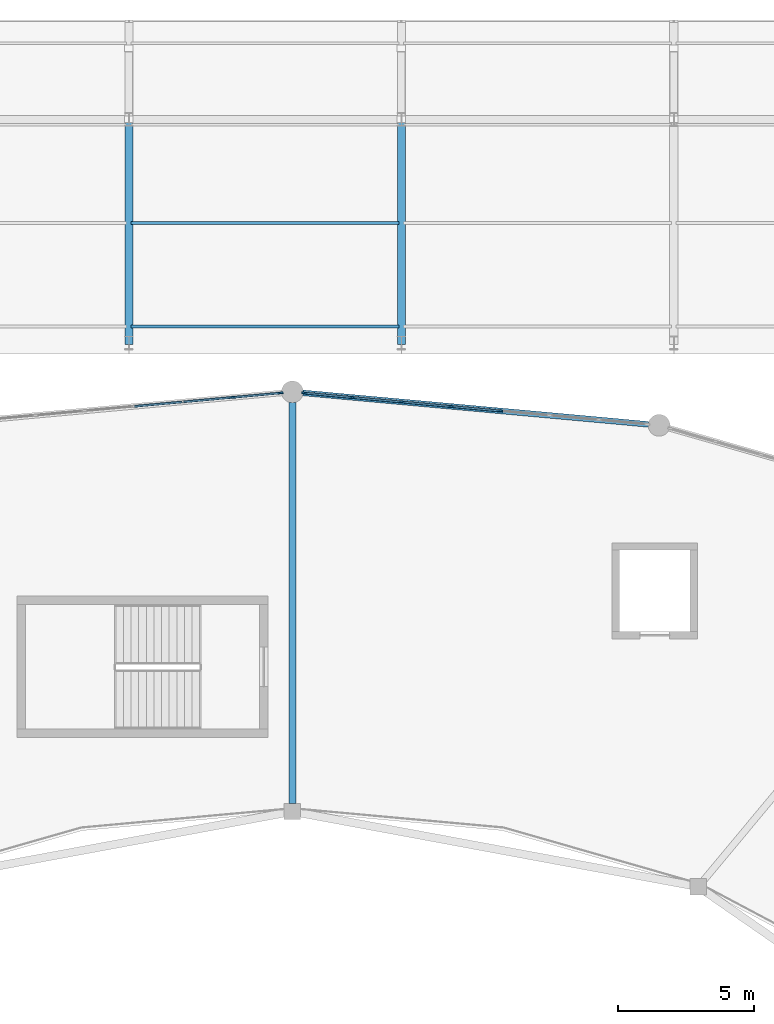
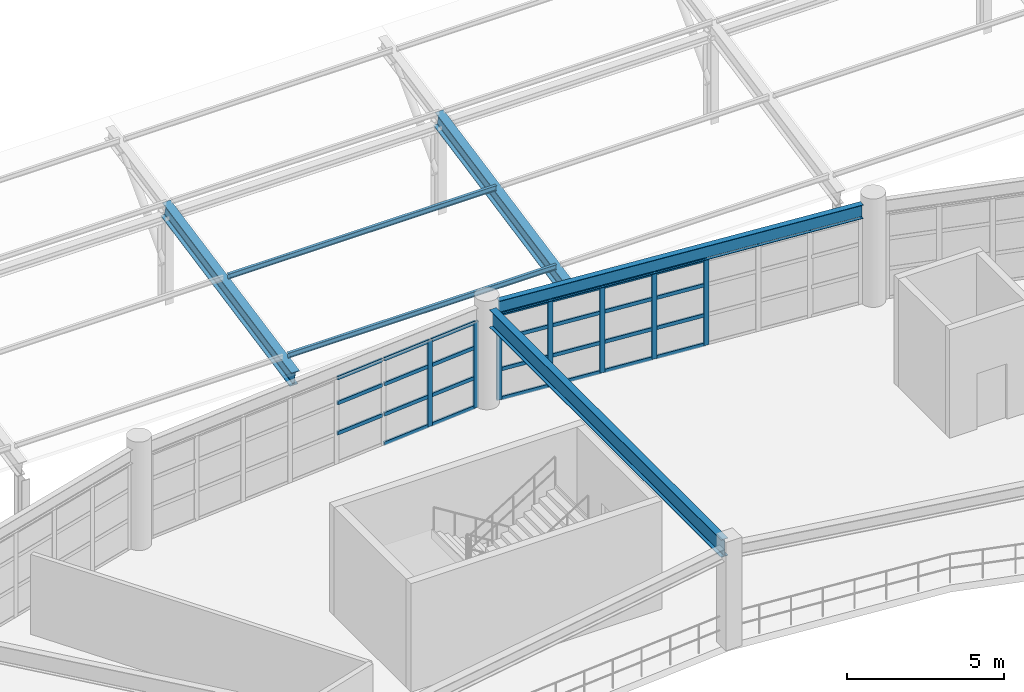
# One storey, part 39 of 100: 36 members, 4 beams, 2 elements without a shape of their own.
"""IFC4 building model written with IfcOpenShell, lengths in metres."""

import ifcopenshell
import ifcopenshell.guid

model = None  # the IFC model being written
_history = None  # IfcOwnerHistory: only IFC2X3 demands one
_inside = {}  # id of a spatial element -> (the spatial element, [elements in it])
_under = {}  # id of a project, library or spatial element -> (it, [spatial elements below it])
_declared = {}  # id of a project -> (the project, [libraries it declares])
_typed = {}  # id of a type object -> (the type object, [elements of that type])
_made_of = {}  # id of a material, layer set ... -> (it, [elements and type objects made of it])


def new_model(schema):
    """Start an empty IFC model of exactly this schema.

    Asked for "IFC4X3", IfcOpenShell would pick the latest addendum, in which some entities
    have other attributes; the version numbers below select the first issue.
    IFC2X3 requires an IfcOwnerHistory on every rooted entity: one is made here for all.
    """
    global model, _history
    if schema == "IFC4X3":
        model = ifcopenshell.file(schema_version=(4, 3, 0, 0))
    else:
        model = ifcopenshell.file(schema=schema)
    _inside.clear()
    _under.clear()
    _declared.clear()
    _typed.clear()
    _made_of.clear()
    _history = None
    if model.schema == "IFC2X3":
        org = make("IfcOrganization", Name="unknown")
        user = make(
            "IfcPersonAndOrganization",
            ThePerson=make("IfcPerson", FamilyName="unknown"),
            TheOrganization=org,
        )
        app = make(
            "IfcApplication",
            ApplicationDeveloper=org,
            Version="unknown",
            ApplicationFullName="unknown",
            ApplicationIdentifier="unknown",
        )
        _history = make(
            "IfcOwnerHistory",
            OwningUser=user,
            OwningApplication=app,
            ChangeAction="ADDED",
            CreationDate=0,
        )
    return model


def make(cls, **values):
    """One entity of the class cls with the attributes given. An attribute that is None is left unset."""
    return model.create_entity(
        cls, **{name: value for name, value in values.items() if value is not None}
    )


def rooted(cls, **values):
    """An entity with a GlobalId (a new one), such as an element, a storey or a relation."""
    return make(cls, GlobalId=ifcopenshell.guid.new(), OwnerHistory=_history, **values)


def si_unit(unit_type, name, prefix=None):
    """IfcSIUnit, for example si_unit("LENGTHUNIT", "METRE", prefix="MILLI")."""
    return make("IfcSIUnit", UnitType=unit_type, Prefix=prefix, Name=name)


def assignment(units):
    """IfcUnitAssignment: the units of a project."""
    return None if units is None else make("IfcUnitAssignment", Units=units)


def point(xyz):
    """IfcCartesianPoint."""
    return None if xyz is None else make("IfcCartesianPoint", Coordinates=xyz)


def direction(xyz):
    """IfcDirection."""
    return None if xyz is None else make("IfcDirection", DirectionRatios=xyz)


def frame(location, z_axis=None, x_axis=None):
    """IfcAxis2Placement3D, a coordinate frame: its origin and axes. An axis left out is left unset."""
    return make(
        "IfcAxis2Placement3D",
        Location=point(location),
        Axis=direction(z_axis),
        RefDirection=direction(x_axis),
    )


def frame_2d(location, x_axis=None):
    """IfcAxis2Placement2D, a coordinate frame in the plane: its origin and x axis."""
    return make(
        "IfcAxis2Placement2D", Location=point(location), RefDirection=direction(x_axis)
    )


def origin():
    """The frame at (0, 0, 0) with its axes left unset."""
    return frame((0.0, 0.0, 0.0))


def origin_2d():
    """The frame at (0, 0) in the plane with its x axis left unset."""
    return frame_2d((0.0, 0.0))


def place(relative_to, where):
    """IfcLocalPlacement: puts the frame where relative to a parent placement (None: the world)."""
    return make(
        "IfcLocalPlacement", PlacementRelTo=relative_to, RelativePlacement=where
    )


def context(
    kind, dimensions, precision=None, world=None, true_north=None, identifier=None
):
    """IfcGeometricRepresentationContext, for example the 3D "Model" context."""
    return make(
        "IfcGeometricRepresentationContext",
        ContextIdentifier=identifier,
        ContextType=kind,
        CoordinateSpaceDimension=dimensions,
        Precision=precision,
        WorldCoordinateSystem=world,
        TrueNorth=true_north,
    )


def subcontext(parent, identifier, kind, view, scale=None):
    """IfcGeometricRepresentationSubContext, for example "Body" below "Model"."""
    return make(
        "IfcGeometricRepresentationSubContext",
        ContextIdentifier=identifier,
        ContextType=kind,
        ParentContext=parent,
        TargetScale=scale,
        TargetView=view,
    )


def project(units=None, contexts=None):
    """IfcProject with its units and contexts."""
    return rooted(
        "IfcProject",
        Name="project",
        RepresentationContexts=contexts,
        UnitsInContext=assignment(units),
    )


def spatial(cls, under=None, at=None, **own):
    """A site, building, storey or space (cls), placed at a placement, below another one or the project."""
    s = rooted(cls, ObjectPlacement=at, **own)
    if under is not None:
        _under.setdefault(under.id(), (under, []))[1].append(s)
    return s


def profile(cls, at=None, kind="AREA", **sizes):
    """A parametric profile (cls). Its sizes go by their IFC names, for example OverallWidth=200.0."""
    return make(cls, ProfileType=kind, Position=at, **sizes)


def rectangle(**sizes):
    """IfcRectangleProfileDef."""
    return profile("IfcRectangleProfileDef", **sizes)


def i_section(**sizes):
    """IfcIShapeProfileDef."""
    return profile("IfcIShapeProfileDef", **sizes)


def extrude(swept, where, along, depth):
    """IfcExtrudedAreaSolid: the profile swept, set in the frame where, extruded along a direction by depth."""
    return make(
        "IfcExtrudedAreaSolid",
        SweptArea=swept,
        Position=where,
        ExtrudedDirection=direction(along),
        Depth=depth,
    )


def shape(context_of_items, identifier, shape_type, items):
    """IfcShapeRepresentation: the items that make up one representation, for example the "Body"."""
    return make(
        "IfcShapeRepresentation",
        ContextOfItems=context_of_items,
        RepresentationIdentifier=identifier,
        RepresentationType=shape_type,
        Items=items,
    )


def material(Name=None, Category=None):
    """IfcMaterial."""
    return make("IfcMaterial", Name=Name, Category=Category)


def layer(
    of_material, thickness, ventilated=None, Name=None, Category=None, Priority=None
):
    """IfcMaterialLayer: one layer of a wall or slab, of a material (None: an air gap)."""
    return make(
        "IfcMaterialLayer",
        Material=of_material,
        LayerThickness=thickness,
        IsVentilated=ventilated,
        Name=Name,
        Category=Category,
        Priority=Priority,
    )


def layer_set(layers, Name=None):
    """IfcMaterialLayerSet."""
    return make("IfcMaterialLayerSet", MaterialLayers=layers, LayerSetName=Name)


def material_profile(
    of_material, cross_section, Name=None, Category=None, Priority=None
):
    """IfcMaterialProfile: a cross section and its material."""
    return make(
        "IfcMaterialProfile",
        Name=Name,
        Material=of_material,
        Profile=cross_section,
        Priority=Priority,
        Category=Category,
    )


def profile_set(profiles, Name=None, composite=None):
    """IfcMaterialProfileSet."""
    return make(
        "IfcMaterialProfileSet",
        Name=Name,
        MaterialProfiles=profiles,
        CompositeProfile=composite,
    )


def made_of(thing, what):
    """Note that an element or type object is made of a material, layer set ...; save() writes the relation."""
    if what is not None:
        _made_of.setdefault(what.id(), (what, []))[1].append(thing)
    return thing


def type_object(cls, material=None, **own):
    """A type object (cls), such as IfcWallType, which elements share."""
    return made_of(rooted(cls, **own), material)


def element(
    cls,
    number,
    at=None,
    inside=None,
    cuts=None,
    type_object=None,
    material=None,
    context=None,
    identifier="Body",
    shape_type=None,
    held_by="IfcProductDefinitionShape",
    body=None,
    shapes=None,
    **own,
):
    """One element of the class cls, such as IfcWall. Its Tag is "e" and its number.

    at: its placement. inside: the storey or other place that contains it. cuts: it is an
    opening in that element (IfcRelVoidsElement). A single representation is given by context,
    identifier, shape_type and body (its items); several are given by shapes. held_by: the class
    of the entity that holds the representations. save() writes the other relations.
    """
    e = rooted(cls, Tag="e%d" % number, ObjectPlacement=at, **own)
    if body is not None:
        shapes = [shape(context, identifier, shape_type, body)]
    if shapes is not None:
        e.Representation = make(held_by, Representations=shapes)
    if inside is not None:
        _inside.setdefault(inside.id(), (inside, []))[1].append(e)
    if cuts is not None:
        rooted(
            "IfcRelVoidsElement", RelatingBuildingElement=cuts, RelatedOpeningElement=e
        )
    if type_object is not None:
        _typed.setdefault(type_object.id(), (type_object, []))[1].append(e)
    return made_of(e, material)


def aggregate(whole, parts):
    """IfcRelAggregates: a whole, such as a stair, and the parts it consists of."""
    return rooted("IfcRelAggregates", RelatingObject=whole, RelatedObjects=parts)


def save(model, path):
    """Write the relations noted so far, then the file.

    IfcRelAggregates (storeys below a building ...), IfcRelContainedInSpatialStructure (elements
    in a storey), IfcRelDefinesByType, IfcRelAssociatesMaterial and IfcRelDeclares: one each for
    every whole, place, type object, material and project.
    """
    for whole, parts in _under.values():
        aggregate(whole, parts)
    for where, things in _inside.values():
        rooted(
            "IfcRelContainedInSpatialStructure",
            RelatedElements=things,
            RelatingStructure=where,
        )
    for kind, things in _typed.values():
        rooted("IfcRelDefinesByType", RelatedObjects=things, RelatingType=kind)
    for what, things in _made_of.values():
        rooted("IfcRelAssociatesMaterial", RelatedObjects=things, RelatingMaterial=what)
    for by, libraries in _declared.values():
        rooted("IfcRelDeclares", RelatingContext=by, RelatedDefinitions=libraries)
    model.write(path)


model = new_model("IFC4")

# Units and contexts
model_context = context("Model", 3, precision=1e-05, world=origin(), true_north=direction((0.0, 1.0)))
body_context = subcontext(model_context, "Body", "Model", "MODEL_VIEW")
ifc_project = project(units=[si_unit("LENGTHUNIT", "METRE"), si_unit("AREAUNIT", "SQUARE_METRE"), si_unit("VOLUMEUNIT", "CUBIC_METRE"), si_unit("PLANEANGLEUNIT", "RADIAN"), si_unit("MASSUNIT", "GRAM", prefix="KILO")], contexts=[model_context])

# Site, building, storey
site_placement = place(None, origin())
site = spatial("IfcSite", under=ifc_project, at=site_placement, CompositionType="ELEMENT")
building_placement = place(site_placement, origin())
building = spatial("IfcBuilding", under=site, at=building_placement, Name="Kivolera Central Railway Station", CompositionType="ELEMENT")
storey_placement = place(building_placement, frame((0.0, 0.0, 5.39990234375)))
storey = spatial("IfcBuildingStorey", under=building, at=storey_placement, Name="L01", CompositionType="ELEMENT", Elevation=5.39990234375)

# Beams
ifc_material_1 = material(Name="Steel S355", Category="steel")
ifc_material_profile_1 = material_profile(ifc_material_1, i_section(OverallWidth=0.300048828125, OverallDepth=0.60009765625, WebThickness=0.015380859375, FlangeThickness=0.030029296875, FilletRadius=0.027099609375, at=origin_2d()), Name="HEB 600")
ifc_profile_set_1 = profile_set([ifc_material_profile_1], Name="Steel S355")
beam_type_1 = type_object("IfcBeamType", Name="BM-CAN-MAIN", PredefinedType="BEAM", material=ifc_profile_set_1)
for number, where, z_axis, x_axis, name in (
    (1, (58.0, 127.800048828125, 1.940185546875), (0.0, 0.98058292142, 0.196104906159), (-1.0, 0.0, 0.0), "Forecourt Canopy Main Back-Span Girder 4"),
    (2, (68.0, 127.800048828125, 1.940185546875), (0.0, 0.98058292142, 0.196104906159), (-1.0, 0.0, 0.0), "Forecourt Canopy Main Back-Span Girder 5"),
):
    element("IfcBeam", number, at=place(storey_placement, frame(where, z_axis=z_axis, x_axis=x_axis)), inside=storey, type_object=beam_type_1, Name=name, PredefinedType="BEAM", context=body_context, shape_type="SweptSolid", body=[
        extrude(i_section(OverallWidth=0.300048828125, OverallDepth=0.60009765625, WebThickness=0.015380859375, FlangeThickness=0.030029296875, FilletRadius=0.027099609375, at=origin_2d()), origin(), (0.0, 0.0, 1.0), 8.3623046875),
    ])
ifc_material_profile_2 = material_profile(ifc_material_1, i_section(OverallWidth=0.209228515625, OverallDepth=0.533203125, WebThickness=0.010009765625, FlangeThickness=0.015625, FilletRadius=0.0126953125, at=origin_2d()), Name="UB 533x210x92")
ifc_profile_set_2 = profile_set([ifc_material_profile_2], Name="Steel S355")
beam_type_2 = type_object("IfcBeamType", Name="BM-SHD-UB533", PredefinedType="BEAM", material=ifc_profile_set_2)
beam_1_placement = place(storey_placement, frame((77.071044921875, 124.80810546875, 3.611083984375), z_axis=(-0.9958650324, 0.090845127787, 0.0), x_axis=(-0.090845127787, -0.9958650324, 0.0)))
element("IfcBeam", 3, at=beam_1_placement, inside=storey, type_object=beam_type_2, Name="L01 Oval Perimeter Ring Beam 06", PredefinedType="BEAM", context=body_context, shape_type="SweptSolid", body=[
    extrude(i_section(OverallWidth=0.209228515625, OverallDepth=0.533203125, WebThickness=0.010009765625, FlangeThickness=0.015625, FilletRadius=0.0126953125, at=origin_2d()), origin(), (0.0, 0.0, 1.0), 12.73583984375),
])
ifc_material_profile_3 = material_profile(ifc_material_1, i_section(OverallWidth=0.253662109375, OverallDepth=0.68359375, WebThickness=0.012451171875, FlangeThickness=0.01904296875, FilletRadius=0.01513671875, at=origin_2d()), Name="UB 686x254x140")
ifc_profile_set_3 = profile_set([ifc_material_profile_3], Name="Steel S355")
beam_type_3 = type_object("IfcBeamType", Name="BM-SHD-UB686", PredefinedType="BEAM", material=ifc_profile_set_3)
beam_2_placement = place(storey_placement, frame((64.0, 110.89208984375, 3.5361328125), z_axis=(0.0, 1.0, 0.0), x_axis=(-1.0, 0.0, 0.0)))
element("IfcBeam", 4, at=beam_2_placement, inside=storey, type_object=beam_type_3, Name="L01 Oval Gallery Radial Girder 04", PredefinedType="BEAM", context=body_context, shape_type="SweptSolid", body=[
    extrude(i_section(OverallWidth=0.253662109375, OverallDepth=0.68359375, WebThickness=0.012451171875, FlangeThickness=0.01904296875, FilletRadius=0.01513671875, at=origin_2d()), origin(), (0.0, 0.0, 1.0), 14.718017578125),
])

# Curtain wall, members
ifc_material_2 = material(Name="Anodised aluminium", Category="aluminium")
ifc_layer = layer(ifc_material_2, 0.179931640625, Name="Anodised aluminium")
ifc_layer_set = layer_set([ifc_layer], Name="Anodised aluminium")
curtain_wall_type = type_object("IfcCurtainWallType", Name="CW-SYS-12", PredefinedType="NOTDEFINED", material=ifc_layer_set)
curtain_wall_1_placement = place(storey_placement, origin())
curtain_wall_1 = element("IfcCurtainWall", 5, at=curtain_wall_1_placement, inside=storey, type_object=curtain_wall_type, Name="L01 Curtain Wall CW-L01-OVL-05", PredefinedType="NOTDEFINED")
ifc_material_profile_4 = material_profile(ifc_material_2, rectangle(XDim=0.070068359375, YDim=0.179931640625, at=origin_2d()), Name="ALU MULL 70x180")
ifc_profile_set_4 = profile_set([ifc_material_profile_4], Name="Anodised aluminium")
member_type_1 = type_object("IfcMemberType", Name="CWM-MUL-1", PredefinedType="MULLION", material=ifc_profile_set_4)
member_1_placement = place(storey_placement, frame((64.432861328125, 125.9609375, -0.0048828125), z_axis=(0.0, 0.0, 1.0), x_axis=(0.090833556942, 0.995866087852, 0.0)))
member_1 = element("IfcMember", 6, at=member_1_placement, type_object=member_type_1, Name="CW-12 mullion 1", PredefinedType="MULLION", context=body_context, shape_type="SweptSolid", body=[
    extrude(rectangle(XDim=0.070068359375, YDim=0.179931640625, at=origin_2d()), origin(), (0.0, 0.0, 1.0), 3.344970703125),
])
member_2_placement = place(storey_placement, frame((66.20703125, 125.799072265625, -0.0048828125), z_axis=(0.0, 0.0, 1.0), x_axis=(0.090833556942, 0.995866087852, 0.0)))
member_2 = element("IfcMember", 7, at=member_2_placement, type_object=member_type_1, Name="CW-12 mullion 2", PredefinedType="MULLION", context=body_context, shape_type="SweptSolid", body=[
    extrude(rectangle(XDim=0.070068359375, YDim=0.179931640625, at=origin_2d()), origin(), (0.0, 0.0, 1.0), 3.344970703125),
])
member_3_placement = place(storey_placement, frame((68.01611328125, 125.634033203125, -0.0048828125), z_axis=(0.0, 0.0, 1.0), x_axis=(0.090833556942, 0.995866087852, 0.0)))
member_3 = element("IfcMember", 8, at=member_3_placement, type_object=member_type_1, Name="CW-12 mullion 3", PredefinedType="MULLION", context=body_context, shape_type="SweptSolid", body=[
    extrude(rectangle(XDim=0.070068359375, YDim=0.179931640625, at=origin_2d()), origin(), (0.0, 0.0, 1.0), 3.344970703125),
])
member_4_placement = place(storey_placement, frame((69.824951171875, 125.468994140625, -0.0048828125), z_axis=(0.0, 0.0, 1.0), x_axis=(0.090833556942, 0.995866087852, 0.0)))
member_4 = element("IfcMember", 9, at=member_4_placement, type_object=member_type_1, Name="CW-12 mullion 4", PredefinedType="MULLION", context=body_context, shape_type="SweptSolid", body=[
    extrude(rectangle(XDim=0.070068359375, YDim=0.179931640625, at=origin_2d()), origin(), (0.0, 0.0, 1.0), 3.344970703125),
])
member_5_placement = place(storey_placement, frame((71.634033203125, 125.303955078125, -0.0048828125), z_axis=(0.0, 0.0, 1.0), x_axis=(0.090833556942, 0.995866087852, 0.0)))
member_5 = element("IfcMember", 10, at=member_5_placement, type_object=member_type_1, Name="CW-12 mullion 5", PredefinedType="MULLION", context=body_context, shape_type="SweptSolid", body=[
    extrude(rectangle(XDim=0.070068359375, YDim=0.179931640625, at=origin_2d()), origin(), (0.0, 0.0, 1.0), 3.344970703125),
])

curtain_wall_2_placement = place(storey_placement, origin())
curtain_wall_2 = element("IfcCurtainWall", 11, at=curtain_wall_2_placement, inside=storey, type_object=curtain_wall_type, Name="L01 Curtain Wall CW-L01-OVL-06", PredefinedType="NOTDEFINED")
member_6_placement = place(storey_placement, frame((61.79296875, 125.799072265625, -0.0048828125), z_axis=(0.0, 0.0, 1.0), x_axis=(-0.090833556942, 0.995866087852, 0.0)))
member_6 = element("IfcMember", 12, at=member_6_placement, type_object=member_type_1, Name="CW-12 mullion 7", PredefinedType="MULLION", context=body_context, shape_type="SweptSolid", body=[
    extrude(rectangle(XDim=0.070068359375, YDim=0.179931640625, at=origin_2d()), origin(), (0.0, 0.0, 1.0), 3.344970703125),
])
member_7_placement = place(storey_placement, frame((63.567138671875, 125.9609375, -0.0048828125), z_axis=(0.0, 0.0, 1.0), x_axis=(-0.090833556942, 0.995866087852, 0.0)))
member_7 = element("IfcMember", 13, at=member_7_placement, type_object=member_type_1, Name="CW-12 mullion 8", PredefinedType="MULLION", context=body_context, shape_type="SweptSolid", body=[
    extrude(rectangle(XDim=0.070068359375, YDim=0.179931640625, at=origin_2d()), origin(), (0.0, 0.0, 1.0), 3.344970703125),
])

# Member
ifc_material_profile_5 = material_profile(ifc_material_2, rectangle(XDim=0.070068359375, YDim=0.139892578125, at=origin_2d()), Name="ALU TRAN 70x140")
ifc_profile_set_5 = profile_set([ifc_material_profile_5], Name="Anodised aluminium")
member_type_2 = type_object("IfcMemberType", Name="CWM-TRN-1", PredefinedType="USERDEFINED", material=ifc_profile_set_5)
member_8_placement = place(storey_placement, frame((64.4677734375, 125.957763671875, 0.03515625), z_axis=(0.995862748795, -0.090870157711, 0.0), x_axis=(0.090870157711, 0.995862748795, 0.0)))
member_8 = element("IfcMember", 14, at=member_8_placement, type_object=member_type_2, Name="CW-12 transom 1.1", ObjectType="TRANSOM", PredefinedType="USERDEFINED", context=body_context, shape_type="SweptSolid", body=[
    extrude(rectangle(XDim=0.070068359375, YDim=0.139892578125, at=origin_2d()), origin(), (0.0, 0.0, 1.0), 1.71142578125),
])

member_9_placement = place(storey_placement, frame((64.4677734375, 125.957763671875, 1.169189453125), z_axis=(0.995862748795, -0.090870157711, 0.0), x_axis=(0.090870157711, 0.995862748795, 0.0)))
member_9 = element("IfcMember", 15, at=member_9_placement, type_object=member_type_2, Name="CW-12 transom 1.2", ObjectType="TRANSOM", PredefinedType="USERDEFINED", context=body_context, shape_type="SweptSolid", body=[
    extrude(rectangle(XDim=0.070068359375, YDim=0.139892578125, at=origin_2d()), origin(), (0.0, 0.0, 1.0), 1.71142578125),
])

member_10_placement = place(storey_placement, frame((64.4677734375, 125.957763671875, 2.338134765625), z_axis=(0.995862748795, -0.090870157711, 0.0), x_axis=(0.090870157711, 0.995862748795, 0.0)))
member_10 = element("IfcMember", 16, at=member_10_placement, type_object=member_type_2, Name="CW-12 transom 1.3", ObjectType="TRANSOM", PredefinedType="USERDEFINED", context=body_context, shape_type="SweptSolid", body=[
    extrude(rectangle(XDim=0.070068359375, YDim=0.139892578125, at=origin_2d()), origin(), (0.0, 0.0, 1.0), 1.71142578125),
])

member_11_placement = place(storey_placement, frame((64.4677734375, 125.957763671875, 3.30517578125), z_axis=(0.995862748795, -0.090870157711, 0.0), x_axis=(0.090870157711, 0.995862748795, 0.0)))
member_11 = element("IfcMember", 17, at=member_11_placement, type_object=member_type_2, Name="CW-12 transom 1.4", ObjectType="TRANSOM", PredefinedType="USERDEFINED", context=body_context, shape_type="SweptSolid", body=[
    extrude(rectangle(XDim=0.070068359375, YDim=0.139892578125, at=origin_2d()), origin(), (0.0, 0.0, 1.0), 1.71142578125),
])

member_12_placement = place(storey_placement, frame((66.241943359375, 125.7958984375, 0.03515625), z_axis=(0.995863361258, -0.09086344537, 0.0), x_axis=(0.09086344537, 0.995863361258, 0.0)))
member_12 = element("IfcMember", 18, at=member_12_placement, type_object=member_type_2, Name="CW-12 transom 2.1", ObjectType="TRANSOM", PredefinedType="USERDEFINED", context=body_context, shape_type="SweptSolid", body=[
    extrude(rectangle(XDim=0.070068359375, YDim=0.139892578125, at=origin_2d()), origin(), (0.0, 0.0, 1.0), 1.74658203125),
])

member_13_placement = place(storey_placement, frame((66.241943359375, 125.7958984375, 1.169189453125), z_axis=(0.995863361258, -0.09086344537, 0.0), x_axis=(0.09086344537, 0.995863361258, 0.0)))
member_13 = element("IfcMember", 19, at=member_13_placement, type_object=member_type_2, Name="CW-12 transom 2.2", ObjectType="TRANSOM", PredefinedType="USERDEFINED", context=body_context, shape_type="SweptSolid", body=[
    extrude(rectangle(XDim=0.070068359375, YDim=0.139892578125, at=origin_2d()), origin(), (0.0, 0.0, 1.0), 1.74658203125),
])

member_14_placement = place(storey_placement, frame((66.241943359375, 125.7958984375, 2.338134765625), z_axis=(0.995863361258, -0.09086344537, 0.0), x_axis=(0.09086344537, 0.995863361258, 0.0)))
member_14 = element("IfcMember", 20, at=member_14_placement, type_object=member_type_2, Name="CW-12 transom 2.3", ObjectType="TRANSOM", PredefinedType="USERDEFINED", context=body_context, shape_type="SweptSolid", body=[
    extrude(rectangle(XDim=0.070068359375, YDim=0.139892578125, at=origin_2d()), origin(), (0.0, 0.0, 1.0), 1.74658203125),
])

member_15_placement = place(storey_placement, frame((66.241943359375, 125.7958984375, 3.30517578125), z_axis=(0.995863361258, -0.09086344537, 0.0), x_axis=(0.09086344537, 0.995863361258, 0.0)))
member_15 = element("IfcMember", 21, at=member_15_placement, type_object=member_type_2, Name="CW-12 transom 2.4", ObjectType="TRANSOM", PredefinedType="USERDEFINED", context=body_context, shape_type="SweptSolid", body=[
    extrude(rectangle(XDim=0.070068359375, YDim=0.139892578125, at=origin_2d()), origin(), (0.0, 0.0, 1.0), 1.74658203125),
])

member_16_placement = place(storey_placement, frame((68.05078125, 125.630859375, 0.03515625), z_axis=(0.995863361258, -0.09086344537, 0.0), x_axis=(0.09086344537, 0.995863361258, 0.0)))
member_16 = element("IfcMember", 22, at=member_16_placement, type_object=member_type_2, Name="CW-12 transom 3.1", ObjectType="TRANSOM", PredefinedType="USERDEFINED", context=body_context, shape_type="SweptSolid", body=[
    extrude(rectangle(XDim=0.070068359375, YDim=0.139892578125, at=origin_2d()), origin(), (0.0, 0.0, 1.0), 1.74658203125),
])

member_17_placement = place(storey_placement, frame((68.05078125, 125.630859375, 1.169189453125), z_axis=(0.995863361258, -0.09086344537, 0.0), x_axis=(0.09086344537, 0.995863361258, 0.0)))
member_17 = element("IfcMember", 23, at=member_17_placement, type_object=member_type_2, Name="CW-12 transom 3.2", ObjectType="TRANSOM", PredefinedType="USERDEFINED", context=body_context, shape_type="SweptSolid", body=[
    extrude(rectangle(XDim=0.070068359375, YDim=0.139892578125, at=origin_2d()), origin(), (0.0, 0.0, 1.0), 1.74658203125),
])

member_18_placement = place(storey_placement, frame((68.05078125, 125.630859375, 2.338134765625), z_axis=(0.995863361258, -0.09086344537, 0.0), x_axis=(0.09086344537, 0.995863361258, 0.0)))
member_18 = element("IfcMember", 24, at=member_18_placement, type_object=member_type_2, Name="CW-12 transom 3.3", ObjectType="TRANSOM", PredefinedType="USERDEFINED", context=body_context, shape_type="SweptSolid", body=[
    extrude(rectangle(XDim=0.070068359375, YDim=0.139892578125, at=origin_2d()), origin(), (0.0, 0.0, 1.0), 1.74658203125),
])

member_19_placement = place(storey_placement, frame((68.05078125, 125.630859375, 3.30517578125), z_axis=(0.995863361258, -0.09086344537, 0.0), x_axis=(0.09086344537, 0.995863361258, 0.0)))
member_19 = element("IfcMember", 25, at=member_19_placement, type_object=member_type_2, Name="CW-12 transom 3.4", ObjectType="TRANSOM", PredefinedType="USERDEFINED", context=body_context, shape_type="SweptSolid", body=[
    extrude(rectangle(XDim=0.070068359375, YDim=0.139892578125, at=origin_2d()), origin(), (0.0, 0.0, 1.0), 1.74658203125),
])

member_20_placement = place(storey_placement, frame((69.85986328125, 125.4658203125, 0.03515625), z_axis=(0.995863361258, -0.09086344537, 0.0), x_axis=(0.09086344537, 0.995863361258, 0.0)))
member_20 = element("IfcMember", 26, at=member_20_placement, type_object=member_type_2, Name="CW-12 transom 4.1", ObjectType="TRANSOM", PredefinedType="USERDEFINED", context=body_context, shape_type="SweptSolid", body=[
    extrude(rectangle(XDim=0.070068359375, YDim=0.139892578125, at=origin_2d()), origin(), (0.0, 0.0, 1.0), 1.74658203125),
])

member_21_placement = place(storey_placement, frame((69.85986328125, 125.4658203125, 1.169189453125), z_axis=(0.995863361258, -0.09086344537, 0.0), x_axis=(0.09086344537, 0.995863361258, 0.0)))
member_21 = element("IfcMember", 27, at=member_21_placement, type_object=member_type_2, Name="CW-12 transom 4.2", ObjectType="TRANSOM", PredefinedType="USERDEFINED", context=body_context, shape_type="SweptSolid", body=[
    extrude(rectangle(XDim=0.070068359375, YDim=0.139892578125, at=origin_2d()), origin(), (0.0, 0.0, 1.0), 1.74658203125),
])

member_22_placement = place(storey_placement, frame((69.85986328125, 125.4658203125, 2.338134765625), z_axis=(0.995863361258, -0.09086344537, 0.0), x_axis=(0.09086344537, 0.995863361258, 0.0)))
member_22 = element("IfcMember", 28, at=member_22_placement, type_object=member_type_2, Name="CW-12 transom 4.3", ObjectType="TRANSOM", PredefinedType="USERDEFINED", context=body_context, shape_type="SweptSolid", body=[
    extrude(rectangle(XDim=0.070068359375, YDim=0.139892578125, at=origin_2d()), origin(), (0.0, 0.0, 1.0), 1.74658203125),
])

member_23_placement = place(storey_placement, frame((69.85986328125, 125.4658203125, 3.30517578125), z_axis=(0.995863361258, -0.09086344537, 0.0), x_axis=(0.09086344537, 0.995863361258, 0.0)))
member_23 = element("IfcMember", 29, at=member_23_placement, type_object=member_type_2, Name="CW-12 transom 4.4", ObjectType="TRANSOM", PredefinedType="USERDEFINED", context=body_context, shape_type="SweptSolid", body=[
    extrude(rectangle(XDim=0.070068359375, YDim=0.139892578125, at=origin_2d()), origin(), (0.0, 0.0, 1.0), 1.74658203125),
])

aggregate(curtain_wall_1, [member_1, member_2, member_3, member_4, member_5, member_8, member_9, member_10, member_11, member_12, member_13, member_14, member_15, member_16, member_17, member_18, member_19, member_20, member_21, member_22, member_23])

member_24_placement = place(storey_placement, frame((58.2099609375, 125.47216796875, 1.169189453125), z_axis=(0.995863361258, 0.09086344537, 0.0), x_axis=(-0.09086344537, 0.995863361258, 0.0)))
member_24 = element("IfcMember", 30, at=member_24_placement, type_object=member_type_2, Name="CW-12 transom 5.2", ObjectType="TRANSOM", PredefinedType="USERDEFINED", context=body_context, shape_type="SweptSolid", body=[
    extrude(rectangle(XDim=0.070068359375, YDim=0.139892578125, at=origin_2d()), origin(), (0.0, 0.0, 1.0), 1.74658203125),
])

member_25_placement = place(storey_placement, frame((58.2099609375, 125.47216796875, 2.338134765625), z_axis=(0.995863361258, 0.09086344537, 0.0), x_axis=(-0.09086344537, 0.995863361258, 0.0)))
member_25 = element("IfcMember", 31, at=member_25_placement, type_object=member_type_2, Name="CW-12 transom 5.3", ObjectType="TRANSOM", PredefinedType="USERDEFINED", context=body_context, shape_type="SweptSolid", body=[
    extrude(rectangle(XDim=0.070068359375, YDim=0.139892578125, at=origin_2d()), origin(), (0.0, 0.0, 1.0), 1.74658203125),
])

member_26_placement = place(storey_placement, frame((58.2099609375, 125.47216796875, 3.30517578125), z_axis=(0.995863361258, 0.09086344537, 0.0), x_axis=(-0.09086344537, 0.995863361258, 0.0)))
member_26 = element("IfcMember", 32, at=member_26_placement, type_object=member_type_2, Name="CW-12 transom 5.4", ObjectType="TRANSOM", PredefinedType="USERDEFINED", context=body_context, shape_type="SweptSolid", body=[
    extrude(rectangle(XDim=0.070068359375, YDim=0.139892578125, at=origin_2d()), origin(), (0.0, 0.0, 1.0), 1.74658203125),
])

member_27_placement = place(storey_placement, frame((60.018798828125, 125.63720703125, 0.03515625), z_axis=(0.995863361258, 0.09086344537, 0.0), x_axis=(-0.09086344537, 0.995863361258, 0.0)))
member_27 = element("IfcMember", 33, at=member_27_placement, type_object=member_type_2, Name="CW-12 transom 6.1", ObjectType="TRANSOM", PredefinedType="USERDEFINED", context=body_context, shape_type="SweptSolid", body=[
    extrude(rectangle(XDim=0.070068359375, YDim=0.139892578125, at=origin_2d()), origin(), (0.0, 0.0, 1.0), 1.74658203125),
])

member_28_placement = place(storey_placement, frame((60.018798828125, 125.63720703125, 1.169189453125), z_axis=(0.995863361258, 0.09086344537, 0.0), x_axis=(-0.09086344537, 0.995863361258, 0.0)))
member_28 = element("IfcMember", 34, at=member_28_placement, type_object=member_type_2, Name="CW-12 transom 6.2", ObjectType="TRANSOM", PredefinedType="USERDEFINED", context=body_context, shape_type="SweptSolid", body=[
    extrude(rectangle(XDim=0.070068359375, YDim=0.139892578125, at=origin_2d()), origin(), (0.0, 0.0, 1.0), 1.74658203125),
])

member_29_placement = place(storey_placement, frame((60.018798828125, 125.63720703125, 2.338134765625), z_axis=(0.995863361258, 0.09086344537, 0.0), x_axis=(-0.09086344537, 0.995863361258, 0.0)))
member_29 = element("IfcMember", 35, at=member_29_placement, type_object=member_type_2, Name="CW-12 transom 6.3", ObjectType="TRANSOM", PredefinedType="USERDEFINED", context=body_context, shape_type="SweptSolid", body=[
    extrude(rectangle(XDim=0.070068359375, YDim=0.139892578125, at=origin_2d()), origin(), (0.0, 0.0, 1.0), 1.74658203125),
])

member_30_placement = place(storey_placement, frame((60.018798828125, 125.63720703125, 3.30517578125), z_axis=(0.995863361258, 0.09086344537, 0.0), x_axis=(-0.09086344537, 0.995863361258, 0.0)))
member_30 = element("IfcMember", 36, at=member_30_placement, type_object=member_type_2, Name="CW-12 transom 6.4", ObjectType="TRANSOM", PredefinedType="USERDEFINED", context=body_context, shape_type="SweptSolid", body=[
    extrude(rectangle(XDim=0.070068359375, YDim=0.139892578125, at=origin_2d()), origin(), (0.0, 0.0, 1.0), 1.74658203125),
])

member_31_placement = place(storey_placement, frame((61.827880859375, 125.80224609375, 0.03515625), z_axis=(0.995862748795, 0.090870157711, 0.0), x_axis=(-0.090870157711, 0.995862748795, 0.0)))
member_31 = element("IfcMember", 37, at=member_31_placement, type_object=member_type_2, Name="CW-12 transom 7.1", ObjectType="TRANSOM", PredefinedType="USERDEFINED", context=body_context, shape_type="SweptSolid", body=[
    extrude(rectangle(XDim=0.070068359375, YDim=0.139892578125, at=origin_2d()), origin(), (0.0, 0.0, 1.0), 1.71142578125),
])

member_32_placement = place(storey_placement, frame((61.827880859375, 125.80224609375, 1.169189453125), z_axis=(0.995862748795, 0.090870157711, 0.0), x_axis=(-0.090870157711, 0.995862748795, 0.0)))
member_32 = element("IfcMember", 38, at=member_32_placement, type_object=member_type_2, Name="CW-12 transom 7.2", ObjectType="TRANSOM", PredefinedType="USERDEFINED", context=body_context, shape_type="SweptSolid", body=[
    extrude(rectangle(XDim=0.070068359375, YDim=0.139892578125, at=origin_2d()), origin(), (0.0, 0.0, 1.0), 1.71142578125),
])

member_33_placement = place(storey_placement, frame((61.827880859375, 125.80224609375, 2.338134765625), z_axis=(0.995862748795, 0.090870157711, 0.0), x_axis=(-0.090870157711, 0.995862748795, 0.0)))
member_33 = element("IfcMember", 39, at=member_33_placement, type_object=member_type_2, Name="CW-12 transom 7.3", ObjectType="TRANSOM", PredefinedType="USERDEFINED", context=body_context, shape_type="SweptSolid", body=[
    extrude(rectangle(XDim=0.070068359375, YDim=0.139892578125, at=origin_2d()), origin(), (0.0, 0.0, 1.0), 1.71142578125),
])

member_34_placement = place(storey_placement, frame((61.827880859375, 125.80224609375, 3.30517578125), z_axis=(0.995862748795, 0.090870157711, 0.0), x_axis=(-0.090870157711, 0.995862748795, 0.0)))
member_34 = element("IfcMember", 40, at=member_34_placement, type_object=member_type_2, Name="CW-12 transom 7.4", ObjectType="TRANSOM", PredefinedType="USERDEFINED", context=body_context, shape_type="SweptSolid", body=[
    extrude(rectangle(XDim=0.070068359375, YDim=0.139892578125, at=origin_2d()), origin(), (0.0, 0.0, 1.0), 1.71142578125),
])

aggregate(curtain_wall_2, [member_6, member_7, member_24, member_25, member_26, member_27, member_28, member_29, member_30, member_31, member_32, member_33, member_34])

# Members
ifc_material_profile_6 = material_profile(ifc_material_1, i_section(OverallWidth=0.10009765625, OverallDepth=0.199951171875, WebThickness=0.005615234375, FlangeThickness=0.008544921875, FilletRadius=0.011962890625, at=origin_2d()), Name="IPE 200")
ifc_profile_set_6 = profile_set([ifc_material_profile_6], Name="Steel S355")
member_type_3 = type_object("IfcMemberType", Name="MEM-PUR-IPE200", PredefinedType="PURLIN", material=ifc_profile_set_6)
for number, where, z_axis, x_axis, name in (
    (41, (58.080078125, 128.39990234375, 2.4521484375), (1.0, 0.0, 0.0), (0.0, 1.0, 0.0), "Forecourt Canopy Purlin 58-1"),
    (42, (58.080078125, 132.199951171875, 3.212158203125), (1.0, 0.0, 0.0), (0.0, 1.0, 0.0), "Forecourt Canopy Purlin 58-2"),
):
    element("IfcMember", number, at=place(storey_placement, frame(where, z_axis=z_axis, x_axis=x_axis)), inside=storey, type_object=member_type_3, Name=name, PredefinedType="PURLIN", context=body_context, shape_type="SweptSolid", body=[
        extrude(i_section(OverallWidth=0.10009765625, OverallDepth=0.199951171875, WebThickness=0.005615234375, FlangeThickness=0.008544921875, FilletRadius=0.011962890625, at=origin_2d()), origin(), (0.0, 0.0, 1.0), 9.83984375),
    ])

save(model, "model.ifc")
